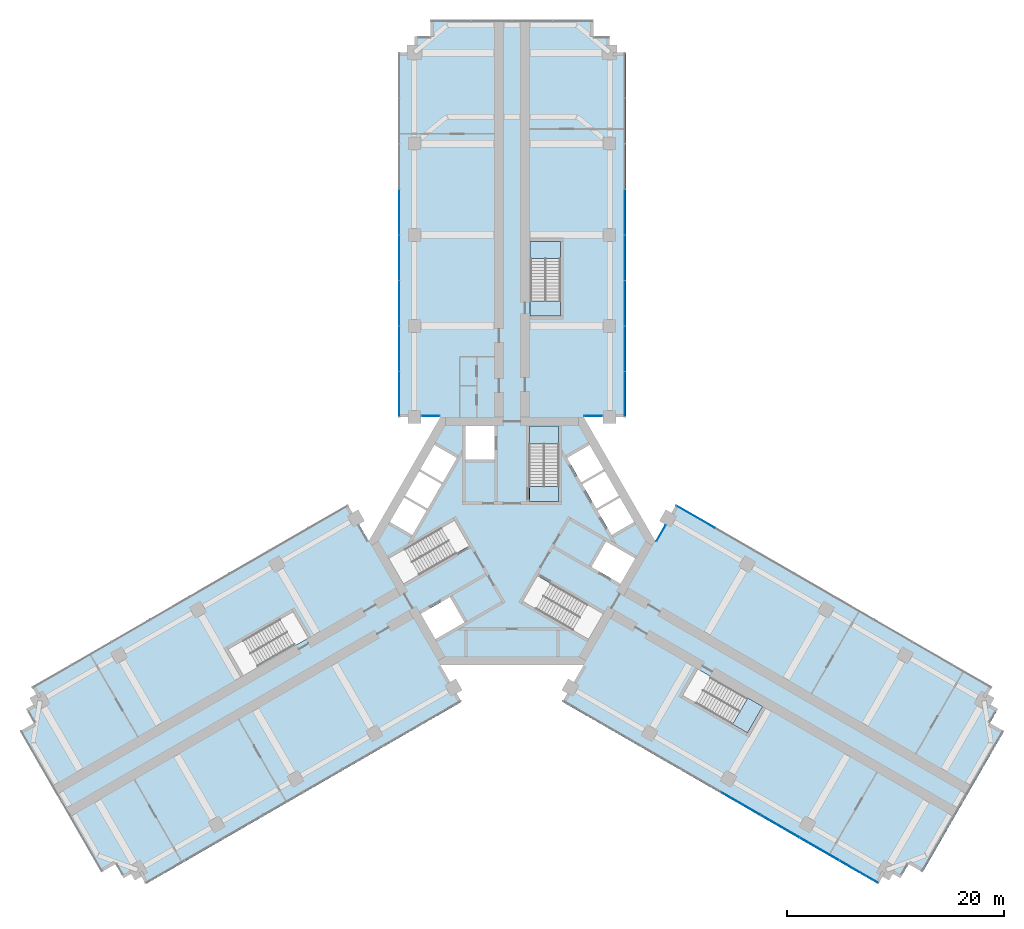
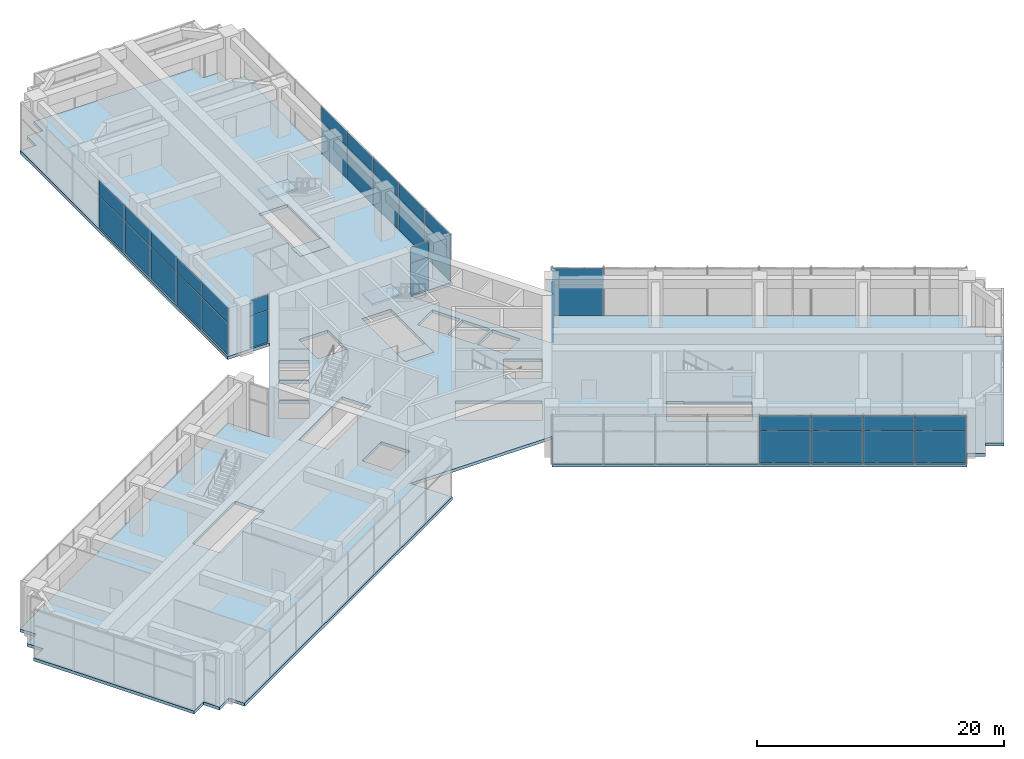
# One storey, part 13 of 20: 36 plates, 6 slabs, 10 elements without a shape of their own.
"""IFC4 building model written with IfcOpenShell, lengths in metres."""

from ifc_helpers import new_model, si_unit, direction, frame, origin, origin_2d, place, context, subcontext, project, spatial, polyline, rectangle, outline, extrude, material, layer, layer_set, type_object, element, aggregate, save


model = new_model("IFC4")

# Units and contexts
model_context = context("Model", 3, precision=1e-05, world=origin(), true_north=direction((0.0, 1.0)))
body_context = subcontext(model_context, "Body", "Model", "MODEL_VIEW")
ifc_project = project(units=[si_unit("LENGTHUNIT", "METRE"), si_unit("AREAUNIT", "SQUARE_METRE"), si_unit("VOLUMEUNIT", "CUBIC_METRE"), si_unit("PLANEANGLEUNIT", "RADIAN"), si_unit("MASSUNIT", "GRAM", prefix="KILO")], contexts=[model_context])

# Site, building, storey
site_placement = place(None, origin())
site = spatial("IfcSite", under=ifc_project, at=site_placement, CompositionType="ELEMENT")
building_placement = place(site_placement, origin())
building = spatial("IfcBuilding", under=site, at=building_placement, Name="Impinga Residences", CompositionType="ELEMENT")
storey_placement = place(building_placement, frame((0.0, 0.0, 101.0)))
storey = spatial("IfcBuildingStorey", under=building, at=storey_placement, Name="L24", CompositionType="ELEMENT", Elevation=101.0)

# Curtain wall, plates
ifc_material_1 = material(Name="Aluminium stick curtain wall", Category="aluminium")
curtain_wall_type = type_object("IfcCurtainWallType", Name="CW2 sky amenity curtain wall", PredefinedType="USERDEFINED", material=ifc_material_1)
curtain_wall_1_placement = place(storey_placement, origin())
curtain_wall_1 = element("IfcCurtainWall", 1, at=curtain_wall_1_placement, inside=storey, type_object=curtain_wall_type, Name="Curtain wall CW2 L24", ObjectType="STICK CURTAIN WALL", PredefinedType="USERDEFINED")
ifc_material_2 = material(Name="Clear double glazing", Category="glass")
ifc_layer_1 = layer(ifc_material_2, 0.028076171875)
ifc_layer_set_1 = layer_set([ifc_layer_1], Name="CW2-P clear double glazed panel 28")
plate_type = type_object("IfcPlateType", Name="CW2-P clear double glazed panel 28", PredefinedType="CURTAIN_PANEL", material=ifc_layer_set_1)
plate_1_placement = place(storey_placement, frame((-7.49853515625, 11.531494140625, 0.06005859375), z_axis=(0.0, 0.0, 1.0), x_axis=(-1.0, 0.0, 0.0)))
plate_1 = element("IfcPlate", 2, at=plate_1_placement, type_object=plate_type, Name="CW2 panel 1.1", PredefinedType="CURTAIN_PANEL", context=body_context, shape_type="SweptSolid", body=[
    extrude(rectangle(XDim=1.677001953125, YDim=0.028076171875, at=origin_2d()), origin(), (0.0, 0.0, 1.0), 3.110107421875),
])
plate_2_placement = place(storey_placement, frame((-7.49853515625, 11.531494140625, 3.22998046875), z_axis=(0.0, 0.0, 1.0), x_axis=(-1.0, 0.0, 0.0)))
plate_2 = element("IfcPlate", 3, at=plate_2_placement, type_object=plate_type, Name="CW2 panel 1.2", PredefinedType="CURTAIN_PANEL", context=body_context, shape_type="SweptSolid", body=[
    extrude(rectangle(XDim=1.677001953125, YDim=0.028076171875, at=origin_2d()), origin(), (0.0, 0.0, 1.0), 1.489990234375),
])
aggregate(curtain_wall_1, [plate_1, plate_2])

curtain_wall_2_placement = place(storey_placement, origin())
curtain_wall_2 = element("IfcCurtainWall", 4, at=curtain_wall_2_placement, inside=storey, type_object=curtain_wall_type, Name="Curtain wall CW2 L24", ObjectType="STICK CURTAIN WALL", PredefinedType="USERDEFINED")
plate_3_placement = place(storey_placement, frame((-10.39990234375, 13.546630859375, 0.06005859375), z_axis=(0.0, 0.0, 1.0), x_axis=(0.0, 1.0, 0.0)))
plate_3 = element("IfcPlate", 5, at=plate_3_placement, type_object=plate_type, Name="CW2 panel 1.1", PredefinedType="CURTAIN_PANEL", context=body_context, shape_type="SweptSolid", body=[
    extrude(rectangle(XDim=4.110107421875, YDim=0.028076171875, at=origin_2d()), origin(), (0.0, 0.0, 1.0), 3.110107421875),
])
plate_4_placement = place(storey_placement, frame((-10.39990234375, 13.546630859375, 3.22998046875), z_axis=(0.0, 0.0, 1.0), x_axis=(0.0, 1.0, 0.0)))
plate_4 = element("IfcPlate", 6, at=plate_4_placement, type_object=plate_type, Name="CW2 panel 1.2", PredefinedType="CURTAIN_PANEL", context=body_context, shape_type="SweptSolid", body=[
    extrude(rectangle(XDim=4.110107421875, YDim=0.028076171875, at=origin_2d()), origin(), (0.0, 0.0, 1.0), 1.489990234375),
])
plate_5_placement = place(storey_placement, frame((-10.39990234375, 17.7314453125, 0.06005859375), z_axis=(0.0, 0.0, 1.0), x_axis=(0.0, 1.0, 0.0)))
plate_5 = element("IfcPlate", 7, at=plate_5_placement, type_object=plate_type, Name="CW2 panel 2.1", PredefinedType="CURTAIN_PANEL", context=body_context, shape_type="SweptSolid", body=[
    extrude(rectangle(XDim=4.139892578125, YDim=0.028076171875, at=origin_2d()), origin(), (0.0, 0.0, 1.0), 3.110107421875),
])
plate_6_placement = place(storey_placement, frame((-10.39990234375, 17.7314453125, 3.22998046875), z_axis=(0.0, 0.0, 1.0), x_axis=(0.0, 1.0, 0.0)))
plate_6 = element("IfcPlate", 8, at=plate_6_placement, type_object=plate_type, Name="CW2 panel 2.2", PredefinedType="CURTAIN_PANEL", context=body_context, shape_type="SweptSolid", body=[
    extrude(rectangle(XDim=4.139892578125, YDim=0.028076171875, at=origin_2d()), origin(), (0.0, 0.0, 1.0), 1.489990234375),
])
plate_7_placement = place(storey_placement, frame((-10.39990234375, 21.931640625, 0.06005859375), z_axis=(0.0, 0.0, 1.0), x_axis=(0.0, 1.0, 0.0)))
plate_7 = element("IfcPlate", 9, at=plate_7_placement, type_object=plate_type, Name="CW2 panel 3.1", PredefinedType="CURTAIN_PANEL", context=body_context, shape_type="SweptSolid", body=[
    extrude(rectangle(XDim=4.139892578125, YDim=0.028076171875, at=origin_2d()), origin(), (0.0, 0.0, 1.0), 3.110107421875),
])
plate_8_placement = place(storey_placement, frame((-10.39990234375, 21.931640625, 3.22998046875), z_axis=(0.0, 0.0, 1.0), x_axis=(0.0, 1.0, 0.0)))
plate_8 = element("IfcPlate", 10, at=plate_8_placement, type_object=plate_type, Name="CW2 panel 3.2", PredefinedType="CURTAIN_PANEL", context=body_context, shape_type="SweptSolid", body=[
    extrude(rectangle(XDim=4.139892578125, YDim=0.028076171875, at=origin_2d()), origin(), (0.0, 0.0, 1.0), 1.489990234375),
])
plate_9_placement = place(storey_placement, frame((-10.39990234375, 26.131591796875, 0.06005859375), z_axis=(0.0, 0.0, 1.0), x_axis=(0.0, 1.0, 0.0)))
plate_9 = element("IfcPlate", 11, at=plate_9_placement, type_object=plate_type, Name="CW2 panel 4.1", PredefinedType="CURTAIN_PANEL", context=body_context, shape_type="SweptSolid", body=[
    extrude(rectangle(XDim=4.139892578125, YDim=0.028076171875, at=origin_2d()), origin(), (0.0, 0.0, 1.0), 3.110107421875),
])
plate_10_placement = place(storey_placement, frame((-10.39990234375, 26.131591796875, 3.22998046875), z_axis=(0.0, 0.0, 1.0), x_axis=(0.0, 1.0, 0.0)))
plate_10 = element("IfcPlate", 12, at=plate_10_placement, type_object=plate_type, Name="CW2 panel 4.2", PredefinedType="CURTAIN_PANEL", context=body_context, shape_type="SweptSolid", body=[
    extrude(rectangle(XDim=4.139892578125, YDim=0.028076171875, at=origin_2d()), origin(), (0.0, 0.0, 1.0), 1.489990234375),
])
plate_11_placement = place(storey_placement, frame((-10.39990234375, 30.33154296875, 0.06005859375), z_axis=(0.0, 0.0, 1.0), x_axis=(0.0, 1.0, 0.0)))
plate_11 = element("IfcPlate", 13, at=plate_11_placement, type_object=plate_type, Name="CW2 panel 5.1", PredefinedType="CURTAIN_PANEL", context=body_context, shape_type="SweptSolid", body=[
    extrude(rectangle(XDim=4.139892578125, YDim=0.028076171875, at=origin_2d()), origin(), (0.0, 0.0, 1.0), 3.110107421875),
])
plate_12_placement = place(storey_placement, frame((-10.39990234375, 30.33154296875, 3.22998046875), z_axis=(0.0, 0.0, 1.0), x_axis=(0.0, 1.0, 0.0)))
plate_12 = element("IfcPlate", 14, at=plate_12_placement, type_object=plate_type, Name="CW2 panel 5.2", PredefinedType="CURTAIN_PANEL", context=body_context, shape_type="SweptSolid", body=[
    extrude(rectangle(XDim=4.139892578125, YDim=0.028076171875, at=origin_2d()), origin(), (0.0, 0.0, 1.0), 1.489990234375),
])
aggregate(curtain_wall_2, [plate_3, plate_4, plate_5, plate_6, plate_7, plate_8, plate_9, plate_10, plate_11, plate_12])

curtain_wall_3_placement = place(storey_placement, origin())
curtain_wall_3 = element("IfcCurtainWall", 15, at=curtain_wall_3_placement, inside=storey, type_object=curtain_wall_type, Name="Curtain wall CW2 L24", ObjectType="STICK CURTAIN WALL", PredefinedType="USERDEFINED")
plate_13_placement = place(storey_placement, frame((10.39990234375, 30.33154296875, 0.06005859375), z_axis=(0.0, 0.0, 1.0), x_axis=(0.0, -1.0, 0.0)))
plate_13 = element("IfcPlate", 16, at=plate_13_placement, type_object=plate_type, Name="CW2 panel 4.1", PredefinedType="CURTAIN_PANEL", context=body_context, shape_type="SweptSolid", body=[
    extrude(rectangle(XDim=4.139892578125, YDim=0.028076171875, at=origin_2d()), origin(), (0.0, 0.0, 1.0), 3.110107421875),
])
plate_14_placement = place(storey_placement, frame((10.39990234375, 30.33154296875, 3.22998046875), z_axis=(0.0, 0.0, 1.0), x_axis=(0.0, -1.0, 0.0)))
plate_14 = element("IfcPlate", 17, at=plate_14_placement, type_object=plate_type, Name="CW2 panel 4.2", PredefinedType="CURTAIN_PANEL", context=body_context, shape_type="SweptSolid", body=[
    extrude(rectangle(XDim=4.139892578125, YDim=0.028076171875, at=origin_2d()), origin(), (0.0, 0.0, 1.0), 1.489990234375),
])
plate_15_placement = place(storey_placement, frame((10.39990234375, 26.131591796875, 0.06005859375), z_axis=(0.0, 0.0, 1.0), x_axis=(0.0, -1.0, 0.0)))
plate_15 = element("IfcPlate", 18, at=plate_15_placement, type_object=plate_type, Name="CW2 panel 5.1", PredefinedType="CURTAIN_PANEL", context=body_context, shape_type="SweptSolid", body=[
    extrude(rectangle(XDim=4.139892578125, YDim=0.028076171875, at=origin_2d()), origin(), (0.0, 0.0, 1.0), 3.110107421875),
])
plate_16_placement = place(storey_placement, frame((10.39990234375, 26.131591796875, 3.22998046875), z_axis=(0.0, 0.0, 1.0), x_axis=(0.0, -1.0, 0.0)))
plate_16 = element("IfcPlate", 19, at=plate_16_placement, type_object=plate_type, Name="CW2 panel 5.2", PredefinedType="CURTAIN_PANEL", context=body_context, shape_type="SweptSolid", body=[
    extrude(rectangle(XDim=4.139892578125, YDim=0.028076171875, at=origin_2d()), origin(), (0.0, 0.0, 1.0), 1.489990234375),
])
plate_17_placement = place(storey_placement, frame((10.39990234375, 21.931640625, 0.06005859375), z_axis=(0.0, 0.0, 1.0), x_axis=(0.0, -1.0, 0.0)))
plate_17 = element("IfcPlate", 20, at=plate_17_placement, type_object=plate_type, Name="CW2 panel 6.1", PredefinedType="CURTAIN_PANEL", context=body_context, shape_type="SweptSolid", body=[
    extrude(rectangle(XDim=4.139892578125, YDim=0.028076171875, at=origin_2d()), origin(), (0.0, 0.0, 1.0), 3.110107421875),
])
plate_18_placement = place(storey_placement, frame((10.39990234375, 21.931640625, 3.22998046875), z_axis=(0.0, 0.0, 1.0), x_axis=(0.0, -1.0, 0.0)))
plate_18 = element("IfcPlate", 21, at=plate_18_placement, type_object=plate_type, Name="CW2 panel 6.2", PredefinedType="CURTAIN_PANEL", context=body_context, shape_type="SweptSolid", body=[
    extrude(rectangle(XDim=4.139892578125, YDim=0.028076171875, at=origin_2d()), origin(), (0.0, 0.0, 1.0), 1.489990234375),
])
plate_19_placement = place(storey_placement, frame((10.39990234375, 17.7314453125, 0.06005859375), z_axis=(0.0, 0.0, 1.0), x_axis=(0.0, -1.0, 0.0)))
plate_19 = element("IfcPlate", 22, at=plate_19_placement, type_object=plate_type, Name="CW2 panel 7.1", PredefinedType="CURTAIN_PANEL", context=body_context, shape_type="SweptSolid", body=[
    extrude(rectangle(XDim=4.139892578125, YDim=0.028076171875, at=origin_2d()), origin(), (0.0, 0.0, 1.0), 3.110107421875),
])
plate_20_placement = place(storey_placement, frame((10.39990234375, 17.7314453125, 3.22998046875), z_axis=(0.0, 0.0, 1.0), x_axis=(0.0, -1.0, 0.0)))
plate_20 = element("IfcPlate", 23, at=plate_20_placement, type_object=plate_type, Name="CW2 panel 7.2", PredefinedType="CURTAIN_PANEL", context=body_context, shape_type="SweptSolid", body=[
    extrude(rectangle(XDim=4.139892578125, YDim=0.028076171875, at=origin_2d()), origin(), (0.0, 0.0, 1.0), 1.489990234375),
])
plate_21_placement = place(storey_placement, frame((10.39990234375, 13.546630859375, 0.06005859375), z_axis=(0.0, 0.0, 1.0), x_axis=(0.0, -1.0, 0.0)))
plate_21 = element("IfcPlate", 24, at=plate_21_placement, type_object=plate_type, Name="CW2 panel 8.1", PredefinedType="CURTAIN_PANEL", context=body_context, shape_type="SweptSolid", body=[
    extrude(rectangle(XDim=4.110107421875, YDim=0.028076171875, at=origin_2d()), origin(), (0.0, 0.0, 1.0), 3.110107421875),
])
plate_22_placement = place(storey_placement, frame((10.39990234375, 13.546630859375, 3.22998046875), z_axis=(0.0, 0.0, 1.0), x_axis=(0.0, -1.0, 0.0)))
plate_22 = element("IfcPlate", 25, at=plate_22_placement, type_object=plate_type, Name="CW2 panel 8.2", PredefinedType="CURTAIN_PANEL", context=body_context, shape_type="SweptSolid", body=[
    extrude(rectangle(XDim=4.110107421875, YDim=0.028076171875, at=origin_2d()), origin(), (0.0, 0.0, 1.0), 1.489990234375),
])
aggregate(curtain_wall_3, [plate_13, plate_14, plate_15, plate_16, plate_17, plate_18, plate_19, plate_20, plate_21, plate_22])

curtain_wall_4_placement = place(storey_placement, origin())
curtain_wall_4 = element("IfcCurtainWall", 26, at=curtain_wall_4_placement, inside=storey, type_object=curtain_wall_type, Name="Curtain wall CW2 L24", ObjectType="STICK CURTAIN WALL", PredefinedType="USERDEFINED")
plate_23_placement = place(storey_placement, frame((7.49853515625, 11.531494140625, 0.06005859375), z_axis=(0.0, 0.0, 1.0), x_axis=(-1.0, 0.0, 0.0)))
plate_23 = element("IfcPlate", 27, at=plate_23_placement, type_object=plate_type, Name="CW2 panel 1.1", PredefinedType="CURTAIN_PANEL", context=body_context, shape_type="SweptSolid", body=[
    extrude(rectangle(XDim=1.677001953125, YDim=0.028076171875, at=origin_2d()), origin(), (0.0, 0.0, 1.0), 3.110107421875),
])
plate_24_placement = place(storey_placement, frame((7.49853515625, 11.531494140625, 3.22998046875), z_axis=(0.0, 0.0, 1.0), x_axis=(-1.0, 0.0, 0.0)))
plate_24 = element("IfcPlate", 28, at=plate_24_placement, type_object=plate_type, Name="CW2 panel 1.2", PredefinedType="CURTAIN_PANEL", context=body_context, shape_type="SweptSolid", body=[
    extrude(rectangle(XDim=1.677001953125, YDim=0.028076171875, at=origin_2d()), origin(), (0.0, 0.0, 1.0), 1.489990234375),
])
aggregate(curtain_wall_4, [plate_23, plate_24])

curtain_wall_5_placement = place(storey_placement, origin())
curtain_wall_5 = element("IfcCurtainWall", 29, at=curtain_wall_5_placement, inside=storey, type_object=curtain_wall_type, Name="Curtain wall CW2 L24", ObjectType="STICK CURTAIN WALL", PredefinedType="USERDEFINED")
plate_25_placement = place(storey_placement, frame((13.73583984375, 0.72802734375, 0.06005859375), z_axis=(0.0, 0.0, 1.0), x_axis=(0.499999915809, 0.866025452392, 0.0)))
plate_25 = element("IfcPlate", 30, at=plate_25_placement, type_object=plate_type, Name="CW2 panel 1.1", PredefinedType="CURTAIN_PANEL", context=body_context, shape_type="SweptSolid", body=[
    extrude(rectangle(XDim=1.677001953125, YDim=0.028076171875, at=origin_2d()), origin(), (0.0, 0.0, 1.0), 3.110107421875),
])
plate_26_placement = place(storey_placement, frame((13.73583984375, 0.72802734375, 3.22998046875), z_axis=(0.0, 0.0, 1.0), x_axis=(0.499999915809, 0.866025452392, 0.0)))
plate_26 = element("IfcPlate", 31, at=plate_26_placement, type_object=plate_type, Name="CW2 panel 1.2", PredefinedType="CURTAIN_PANEL", context=body_context, shape_type="SweptSolid", body=[
    extrude(rectangle(XDim=1.677001953125, YDim=0.028076171875, at=origin_2d()), origin(), (0.0, 0.0, 1.0), 1.489990234375),
])
aggregate(curtain_wall_5, [plate_25, plate_26])

curtain_wall_6_placement = place(storey_placement, origin())
curtain_wall_6 = element("IfcCurtainWall", 32, at=curtain_wall_6_placement, inside=storey, type_object=curtain_wall_type, Name="Curtain wall CW2 L24", ObjectType="STICK CURTAIN WALL", PredefinedType="USERDEFINED")
plate_27_placement = place(storey_placement, frame((16.931640625, 2.2333984375, 0.06005859375), z_axis=(0.0, 0.0, 1.0), x_axis=(0.866025407005, -0.499999994423, 0.0)))
plate_27 = element("IfcPlate", 33, at=plate_27_placement, type_object=plate_type, Name="CW2 panel 1.1", PredefinedType="CURTAIN_PANEL", context=body_context, shape_type="SweptSolid", body=[
    extrude(rectangle(XDim=4.110107421875, YDim=0.028076171875, at=origin_2d()), origin(), (0.0, 0.0, 1.0), 3.110107421875),
])
plate_28_placement = place(storey_placement, frame((16.931640625, 2.2333984375, 3.22998046875), z_axis=(0.0, 0.0, 1.0), x_axis=(0.866025407005, -0.499999994423, 0.0)))
plate_28 = element("IfcPlate", 34, at=plate_28_placement, type_object=plate_type, Name="CW2 panel 1.2", PredefinedType="CURTAIN_PANEL", context=body_context, shape_type="SweptSolid", body=[
    extrude(rectangle(XDim=4.110107421875, YDim=0.028076171875, at=origin_2d()), origin(), (0.0, 0.0, 1.0), 1.489990234375),
])
aggregate(curtain_wall_6, [plate_27, plate_28])

curtain_wall_7_placement = place(storey_placement, origin())
curtain_wall_7 = element("IfcCurtainWall", 35, at=curtain_wall_7_placement, inside=storey, type_object=curtain_wall_type, Name="Curtain wall CW2 L24", ObjectType="STICK CURTAIN WALL", PredefinedType="USERDEFINED")
plate_29_placement = place(storey_placement, frame((31.966796875, -30.46484375, 0.06005859375), z_axis=(0.0, 0.0, 1.0), x_axis=(-0.866025407005, 0.499999994423, 0.0)))
plate_29 = element("IfcPlate", 36, at=plate_29_placement, type_object=plate_type, Name="CW2 panel 1.1", PredefinedType="CURTAIN_PANEL", context=body_context, shape_type="SweptSolid", body=[
    extrude(rectangle(XDim=4.110107421875, YDim=0.028076171875, at=origin_2d()), origin(), (0.0, 0.0, 1.0), 3.110107421875),
])
plate_30_placement = place(storey_placement, frame((31.966796875, -30.46484375, 3.22998046875), z_axis=(0.0, 0.0, 1.0), x_axis=(-0.866025407005, 0.499999994423, 0.0)))
plate_30 = element("IfcPlate", 37, at=plate_30_placement, type_object=plate_type, Name="CW2 panel 1.2", PredefinedType="CURTAIN_PANEL", context=body_context, shape_type="SweptSolid", body=[
    extrude(rectangle(XDim=4.110107421875, YDim=0.028076171875, at=origin_2d()), origin(), (0.0, 0.0, 1.0), 1.489990234375),
])
plate_31_placement = place(storey_placement, frame((28.342529296875, -28.372314453125, 0.06005859375), z_axis=(0.0, 0.0, 1.0), x_axis=(-0.866025407005, 0.499999994423, 0.0)))
plate_31 = element("IfcPlate", 38, at=plate_31_placement, type_object=plate_type, Name="CW2 panel 2.1", PredefinedType="CURTAIN_PANEL", context=body_context, shape_type="SweptSolid", body=[
    extrude(rectangle(XDim=4.139892578125, YDim=0.028076171875, at=origin_2d()), origin(), (0.0, 0.0, 1.0), 3.110107421875),
])
plate_32_placement = place(storey_placement, frame((28.342529296875, -28.372314453125, 3.22998046875), z_axis=(0.0, 0.0, 1.0), x_axis=(-0.866025407005, 0.499999994423, 0.0)))
plate_32 = element("IfcPlate", 39, at=plate_32_placement, type_object=plate_type, Name="CW2 panel 2.2", PredefinedType="CURTAIN_PANEL", context=body_context, shape_type="SweptSolid", body=[
    extrude(rectangle(XDim=4.139892578125, YDim=0.028076171875, at=origin_2d()), origin(), (0.0, 0.0, 1.0), 1.489990234375),
])
plate_33_placement = place(storey_placement, frame((24.705078125, -26.2724609375, 0.06005859375), z_axis=(0.0, 0.0, 1.0), x_axis=(-0.866025407005, 0.499999994423, 0.0)))
plate_33 = element("IfcPlate", 40, at=plate_33_placement, type_object=plate_type, Name="CW2 panel 3.1", PredefinedType="CURTAIN_PANEL", context=body_context, shape_type="SweptSolid", body=[
    extrude(rectangle(XDim=4.139892578125, YDim=0.028076171875, at=origin_2d()), origin(), (0.0, 0.0, 1.0), 3.110107421875),
])
plate_34_placement = place(storey_placement, frame((24.705078125, -26.2724609375, 3.22998046875), z_axis=(0.0, 0.0, 1.0), x_axis=(-0.866025407005, 0.499999994423, 0.0)))
plate_34 = element("IfcPlate", 41, at=plate_34_placement, type_object=plate_type, Name="CW2 panel 3.2", PredefinedType="CURTAIN_PANEL", context=body_context, shape_type="SweptSolid", body=[
    extrude(rectangle(XDim=4.139892578125, YDim=0.028076171875, at=origin_2d()), origin(), (0.0, 0.0, 1.0), 1.489990234375),
])
plate_35_placement = place(storey_placement, frame((21.06787109375, -24.17236328125, 0.06005859375), z_axis=(0.0, 0.0, 1.0), x_axis=(-0.866025407005, 0.499999994423, 0.0)))
plate_35 = element("IfcPlate", 42, at=plate_35_placement, type_object=plate_type, Name="CW2 panel 4.1", PredefinedType="CURTAIN_PANEL", context=body_context, shape_type="SweptSolid", body=[
    extrude(rectangle(XDim=4.139892578125, YDim=0.028076171875, at=origin_2d()), origin(), (0.0, 0.0, 1.0), 3.110107421875),
])
plate_36_placement = place(storey_placement, frame((21.06787109375, -24.17236328125, 3.22998046875), z_axis=(0.0, 0.0, 1.0), x_axis=(-0.866025407005, 0.499999994423, 0.0)))
plate_36 = element("IfcPlate", 43, at=plate_36_placement, type_object=plate_type, Name="CW2 panel 4.2", PredefinedType="CURTAIN_PANEL", context=body_context, shape_type="SweptSolid", body=[
    extrude(rectangle(XDim=4.139892578125, YDim=0.028076171875, at=origin_2d()), origin(), (0.0, 0.0, 1.0), 1.489990234375),
])
aggregate(curtain_wall_7, [plate_29, plate_30, plate_31, plate_32, plate_33, plate_34, plate_35, plate_36])

# Slab
ifc_material_3 = material(Name="Concrete C60/75", Category="concrete")
ifc_layer_2 = layer(ifc_material_3, 0.300048828125)
ifc_layer_set_2 = layer_set([ifc_layer_2], Name="Concrete C60/75")
slab_type_1 = type_object("IfcSlabType", Name="FS2 podium, plant and crown floor slab 300", PredefinedType="FLOOR", material=ifc_layer_set_2)
slab_1_placement = place(storey_placement, frame((0.0, 0.0, -0.300048828125)))
element("IfcSlab", 44, at=slab_1_placement, inside=storey, type_object=slab_type_1, Name="Floor slab FS2 L24", PredefinedType="FLOOR", context=body_context, shape_type="SweptSolid", body=[
    extrude(outline(polyline([(-34.49853515625, -30.31005859375), (-35.797607421875, -31.06005859375), (-36.547607421875, -29.760986328125), (-37.846435546875, -30.510986328125), (-45.346435546875, -17.5205078125), (-44.047607421875, -16.7705078125), (-44.797607421875, -15.471435546875), (-43.49853515625, -14.721435546875), (-44.24853515625, -13.422607421875), (-15.14990234375, 3.37744140625), (-13.199951171875, 0.0), (-6.60009765625, 11.431640625), (-10.5, 11.431640625), (-10.5, 45.031494140625), (-9.0, 45.031494140625), (-9.0, 46.531494140625), (-7.5, 46.531494140625), (-7.5, 48.031494140625), (7.5, 48.031494140625), (7.5, 46.531494140625), (9.0, 46.531494140625), (9.0, 45.031494140625), (10.5, 45.031494140625), (10.5, 11.431640625), (6.60009765625, 11.431640625), (13.199951171875, 0.0), (15.14990234375, 3.37744140625), (44.24853515625, -13.422607421875), (43.49853515625, -14.721435546875), (44.797607421875, -15.471435546875), (44.047607421875, -16.7705078125), (45.346435546875, -17.5205078125), (37.846435546875, -30.510986328125), (36.547607421875, -29.760986328125), (35.797607421875, -31.06005859375), (34.49853515625, -30.31005859375), (33.74853515625, -31.609130859375), (4.64990234375, -14.80908203125), (9.900146484375, -5.7158203125), (6.60009765625, -11.431640625), (-6.60009765625, -11.431640625), (-9.900146484375, -5.7158203125), (-4.64990234375, -14.80908203125), (-33.74853515625, -31.609130859375), (-34.49853515625, -30.31005859375)]), holes=[polyline([(-18.779052734375, -8.936767578125), (-18.8291015625, -8.850341796875), (-18.8291015625, -8.850341796875), (-20.178955078125, -6.511962890625), (-21.391357421875, -7.2119140625), (-21.391357421875, -7.2119140625), (-26.154541015625, -9.9619140625), (-24.8046875, -12.30029296875), (-20.04150390625, -9.55029296875), (-20.016357421875, -9.593505859375), (-20.016357421875, -9.593505859375), (-19.991455078125, -9.63671875), (-18.779052734375, -8.936767578125)]), polyline([(-4.37109375, -7.489013671875), (-5.72119140625, -5.150634765625), (-8.4072265625, -6.701416015625), (-7.05712890625, -9.039794921875), (-4.37109375, -7.489013671875)]), polyline([(-3.943603515625, -0.429443359375), (-5.293701171875, 1.908935546875), (-11.357177734375, -1.591796875), (-10.007080078125, -3.93017578125), (-3.943603515625, -0.429443359375)]), polyline([(-7.878662109375, 2.816650390625), (-9.957275390625, 4.016845703125), (-11.257080078125, 1.76513671875), (-9.1787109375, 0.56494140625), (-7.878662109375, 2.816650390625)]), polyline([(-6.478759765625, 5.24169921875), (-8.55712890625, 6.441650390625), (-9.857177734375, 4.18994140625), (-7.77880859375, 2.989990234375), (-6.478759765625, 5.24169921875)]), polyline([(4.300048828125, 3.6298828125), (4.300048828125, 10.631591796875), (1.60009765625, 10.631591796875), (1.60009765625, 3.6298828125), (4.300048828125, 3.6298828125)]), polyline([(-6.378662109375, 5.414794921875), (-5.07861328125, 7.66650390625), (-7.1572265625, 8.866455078125), (-8.457275390625, 6.61474609375), (-6.378662109375, 5.414794921875)]), polyline([(-4.300048828125, 7.530029296875), (-1.60009765625, 7.530029296875), (-1.60009765625, 10.631591796875), (-4.300048828125, 10.631591796875), (-4.300048828125, 7.530029296875)]), polyline([(4.449951171875, 20.7314453125), (4.449951171875, 22.131591796875), (4.449951171875, 27.631591796875), (1.75, 27.631591796875), (1.75, 22.131591796875), (1.699951171875, 22.131591796875), (1.64990234375, 22.131591796875), (1.64990234375, 20.7314453125), (1.699951171875, 20.7314453125), (1.75, 20.7314453125), (4.449951171875, 20.7314453125)]), polyline([(15.72900390625, -14.219482421875), (21.70458984375, -17.669677734375), (23.0546875, -15.331298828125), (18.29150390625, -12.581298828125), (18.341552734375, -12.49462890625), (17.129150390625, -11.794677734375), (17.10400390625, -11.837890625), (17.10400390625, -11.837890625), (15.72900390625, -14.219482421875)]), polyline([(2.34375, -3.20068359375), (0.99365234375, -5.538818359375), (7.05712890625, -9.039794921875), (8.4072265625, -6.701416015625), (2.34375, -3.20068359375)]), polyline([(7.3212890625, -2.37939453125), (10.007080078125, -3.93017578125), (11.357177734375, -1.591796875), (8.671142578125, -0.041015625), (7.3212890625, -2.37939453125)]), polyline([(7.878662109375, 2.816650390625), (9.1787109375, 0.56494140625), (11.257080078125, 1.76513671875), (9.957275390625, 4.016845703125), (7.878662109375, 2.816650390625)]), polyline([(6.478759765625, 5.24169921875), (7.77880859375, 2.989990234375), (9.857177734375, 4.18994140625), (8.55712890625, 6.441650390625), (6.478759765625, 5.24169921875)]), polyline([(6.378662109375, 5.414794921875), (8.457275390625, 6.61474609375), (7.1572265625, 8.866455078125), (5.07861328125, 7.66650390625), (6.378662109375, 5.414794921875)])]), origin(), (0.0, 0.0, 1.0), 0.300048828125),
])

# Stair, slabs
ifc_material_4 = material(Name="Concrete C40/50", Category="concrete")
stair_type_1 = type_object("IfcStairType", Name="STR core stair 5000 storey, 30 risers", PredefinedType="HALF_TURN_STAIR", material=ifc_material_4)
stair_1_placement = place(storey_placement, origin())
stair_1 = element("IfcStair", 45, at=stair_1_placement, inside=storey, type_object=stair_type_1, Name="Stair ST1 L24", PredefinedType="HALF_TURN_STAIR")
ifc_layer_3 = layer(ifc_material_4, 0.199951171875)
ifc_layer_set_3 = layer_set([ifc_layer_3], Name="Concrete C40/50")
slab_type_2 = type_object("IfcSlabType", Name="LS1 stair landing 200", PredefinedType="LANDING", material=ifc_layer_set_3)
slab_2_placement = place(storey_placement, frame((0.0, 0.0, -0.199951171875)))
slab_2 = element("IfcSlab", 46, at=slab_2_placement, type_object=slab_type_2, Name="ST1 landing 1", PredefinedType="LANDING", context=body_context, shape_type="SweptSolid", body=[
    extrude(outline(polyline([(1.60009765625, 3.6298828125), (4.300048828125, 3.6298828125), (4.300048828125, 5.0400390625), (1.60009765625, 5.0400390625), (1.60009765625, 3.6298828125)])), origin(), (0.0, 0.0, 1.0), 0.199951171875),
])
slab_3_placement = place(storey_placement, frame((0.0, 0.0, 2.300048828125)))
slab_3 = element("IfcSlab", 47, at=slab_3_placement, type_object=slab_type_2, Name="ST1 landing 2", PredefinedType="LANDING", context=body_context, shape_type="SweptSolid", body=[
    extrude(outline(polyline([(1.60009765625, 8.93994140625), (4.300048828125, 8.93994140625), (4.300048828125, 10.631591796875), (1.60009765625, 10.631591796875), (1.60009765625, 8.93994140625)])), origin(), (0.0, 0.0, 1.0), 0.199951171875),
])
aggregate(stair_1, [slab_2, slab_3])

stair_type_2 = type_object("IfcStairType", Name="STR wing stair 5000 storey, 30 risers", PredefinedType="HALF_TURN_STAIR", material=ifc_material_4)
stair_2_placement = place(storey_placement, origin())
stair_2 = element("IfcStair", 48, at=stair_2_placement, inside=storey, type_object=stair_type_2, Name="Stair WS1 L24", PredefinedType="HALF_TURN_STAIR")
slab_4_placement = place(storey_placement, frame((0.0, 0.0, -0.199951171875)))
slab_4 = element("IfcSlab", 49, at=slab_4_placement, type_object=slab_type_2, Name="WS1 landing 1", PredefinedType="LANDING", context=body_context, shape_type="SweptSolid", body=[
    extrude(outline(polyline([(1.64990234375, 20.7314453125), (4.449951171875, 20.7314453125), (4.449951171875, 22.1416015625), (1.64990234375, 22.1416015625), (1.64990234375, 20.7314453125)])), origin(), (0.0, 0.0, 1.0), 0.199951171875),
])
slab_5_placement = place(storey_placement, frame((0.0, 0.0, 2.300048828125)))
slab_5 = element("IfcSlab", 50, at=slab_5_placement, type_object=slab_type_2, Name="WS1 landing 2", PredefinedType="LANDING", context=body_context, shape_type="SweptSolid", body=[
    extrude(outline(polyline([(1.64990234375, 26.04150390625), (4.449951171875, 26.04150390625), (4.449951171875, 27.631591796875), (1.64990234375, 27.631591796875), (1.64990234375, 26.04150390625)])), origin(), (0.0, 0.0, 1.0), 0.199951171875),
])
aggregate(stair_2, [slab_4, slab_5])

# Stair, slab
stair_3_placement = place(storey_placement, origin())
stair_3 = element("IfcStair", 51, at=stair_3_placement, inside=storey, type_object=stair_type_2, Name="Stair WS3 L24", PredefinedType="HALF_TURN_STAIR")
slab_6_placement = place(storey_placement, frame((0.0, 0.0, 2.300048828125)))
slab_6 = element("IfcSlab", 52, at=slab_6_placement, type_object=slab_type_2, Name="WS3 landing 2", PredefinedType="LANDING", context=body_context, shape_type="SweptSolid", body=[
    extrude(outline(polyline([(21.7275390625, -14.44970703125), (20.32763671875, -16.87451171875), (21.70458984375, -17.669677734375), (23.1044921875, -15.24462890625), (21.7275390625, -14.44970703125)])), origin(), (0.0, 0.0, 1.0), 0.199951171875),
])
aggregate(stair_3, [slab_6])

save(model, "model.ifc")
